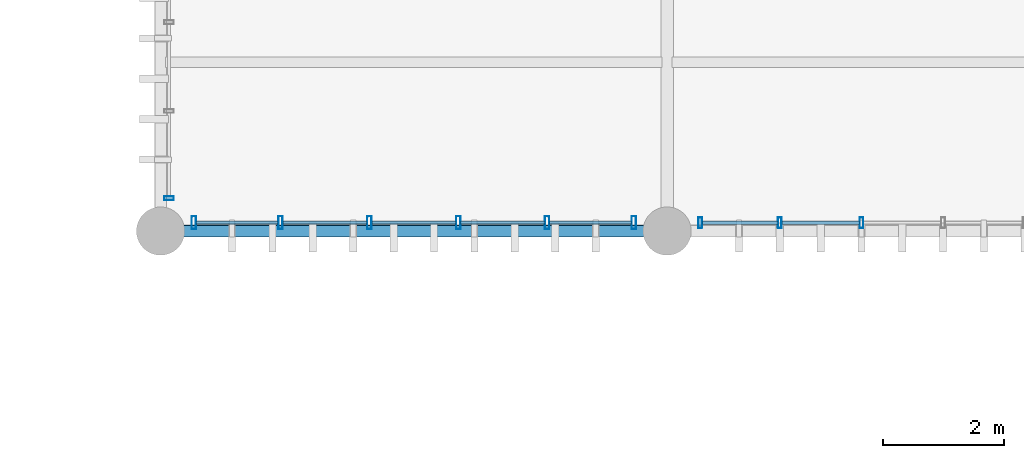
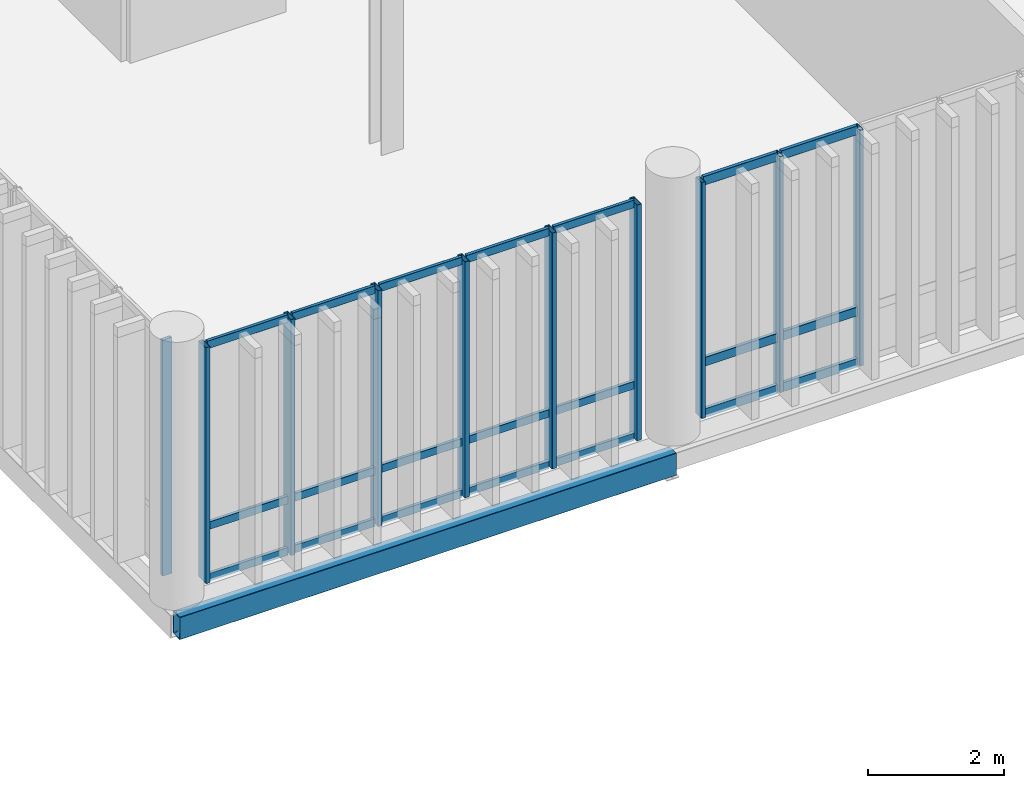
# One storey, part 49 of 94: 31 members, 1 beam, 3 elements without a shape of their own.
"""IFC4 building model written with IfcOpenShell, lengths in metres."""

from ifc_helpers import new_model, si_unit, direction, frame, origin_with_axes, origin_2d_with_axis, place, context, subcontext, project, spatial, hollow_rectangle, extrude, material, material_profile, profile_set, type_object, element, aggregate, save


model = new_model("IFC4")

# Units and contexts
model_context = context("Model", 3, precision=1e-05, world=origin_with_axes(), true_north=direction((0.0, 1.0)))
body_context = subcontext(model_context, "Body", "Model", "MODEL_VIEW")
ifc_project = project(units=[si_unit("LENGTHUNIT", "METRE"), si_unit("AREAUNIT", "SQUARE_METRE"), si_unit("VOLUMEUNIT", "CUBIC_METRE"), si_unit("PLANEANGLEUNIT", "RADIAN"), si_unit("MASSUNIT", "GRAM", prefix="KILO"), si_unit("THERMODYNAMICTEMPERATUREUNIT", "KELVIN")], contexts=[model_context])

# Site, building, storey
site_placement = place(None, origin_with_axes())
site = spatial("IfcSite", under=ifc_project, at=site_placement, CompositionType="ELEMENT")
building_placement = place(site_placement, origin_with_axes())
building = spatial("IfcBuilding", under=site, at=building_placement, Name="Montbau Bow Law Courts", CompositionType="ELEMENT")
storey_placement = place(building_placement, frame((0.0, 0.0, 15.6), z_axis=(0.0, 0.0, 1.0), x_axis=(1.0, 0.0, 0.0)))
storey = spatial("IfcBuildingStorey", under=building, at=storey_placement, Name="L03", CompositionType="ELEMENT", Elevation=15.6)

# Beam
ifc_material_1 = material(Name="Steel CSA G40.21 Grade 350WT (350 MPa)", Category="steel")
ifc_material_profile_1 = material_profile(ifc_material_1, hollow_rectangle(XDim=0.203, YDim=0.406, WallThickness=0.0127, InnerFilletRadius=0.0254, OuterFilletRadius=0.0127, at=origin_2d_with_axis()), Name="HSS406X203X13", Category="Main", Priority=0)
ifc_profile_set_1 = profile_set([ifc_material_profile_1], Name="Steel CSA G40.21 Grade 350WT (350 MPa)")
beam_type = type_object("IfcBeamType", Name="B-SPN-01", PredefinedType="SPANDREL", material=ifc_profile_set_1)
beam_placement = place(None, frame((138.6, 69.6, 15.057), z_axis=(1.0, 0.0, 0.0), x_axis=(0.0, 1.0, 0.0)))
element("IfcBeam", 1, at=beam_placement, inside=storey, type_object=beam_type, Name="SPN-L03-S1205:bm2_1208", PredefinedType="SPANDREL", context=body_context, shape_type="SweptSolid", body=[
    extrude(hollow_rectangle(XDim=0.203, YDim=0.406, WallThickness=0.0127, InnerFilletRadius=0.0254, OuterFilletRadius=0.0127, at=origin_2d_with_axis()), origin_with_axes(), (0.0, 0.0, 1.0), 8.4),
])

# Curtain wall, members
ifc_material_2 = material(Name="Thermally Broken Extruded Aluminium AA 6063-T6", Category="aluminium")
curtain_wall_type = type_object("IfcCurtainWallType", Name="CW-SLT-01", PredefinedType="NOTDEFINED", material=ifc_material_2)
curtain_wall_1_placement = place(None, frame((139.115, 69.74, 15.6), z_axis=(0.0, 0.0, 1.0), x_axis=(1.0, 0.0, 0.0)))
curtain_wall_1 = element("IfcCurtainWall", 2, at=curtain_wall_1_placement, inside=storey, type_object=curtain_wall_type, Name="CW-L03-309:cw_0309", PredefinedType="NOTDEFINED")
ifc_material_profile_2 = material_profile(ifc_material_2, hollow_rectangle(XDim=0.075, YDim=0.22, WallThickness=0.005, InnerFilletRadius=0.01, OuterFilletRadius=0.005, at=origin_2d_with_axis()), Name="CWM-220X75", Category="Main", Priority=0)
ifc_profile_set_2 = profile_set([ifc_material_profile_2], Name="Thermally Broken Extruded Aluminium AA 6063-T6")
member_type_1 = type_object("IfcMemberType", Name="M-MUL-01", PredefinedType="MULLION", material=ifc_profile_set_2)
member_1_placement = place(None, frame((139.152, 69.74, 15.6), z_axis=(0.0, 0.0, 1.0), x_axis=(1.0, 0.0, 0.0)))
member_1 = element("IfcMember", 3, at=member_1_placement, type_object=member_type_1, Name="CW-L03-309-M01:cw_0309_M01", PredefinedType="MULLION", context=body_context, shape_type="SweptSolid", body=[
    extrude(hollow_rectangle(XDim=0.075, YDim=0.22, WallThickness=0.005, InnerFilletRadius=0.01, OuterFilletRadius=0.005, at=origin_2d_with_axis()), origin_with_axes(), (0.0, 0.0, 1.0), 4.22),
])
member_2_placement = place(None, frame((140.589, 69.74, 15.6), z_axis=(0.0, 0.0, 1.0), x_axis=(1.0, 0.0, 0.0)))
member_2 = element("IfcMember", 4, at=member_2_placement, type_object=member_type_1, Name="CW-L03-309-M02:cw_0309_M02", PredefinedType="MULLION", context=body_context, shape_type="SweptSolid", body=[
    extrude(hollow_rectangle(XDim=0.075, YDim=0.22, WallThickness=0.005, InnerFilletRadius=0.01, OuterFilletRadius=0.005, at=origin_2d_with_axis()), origin_with_axes(), (0.0, 0.0, 1.0), 4.22),
])
member_3_placement = place(None, frame((142.063, 69.74, 15.6), z_axis=(0.0, 0.0, 1.0), x_axis=(1.0, 0.0, 0.0)))
member_3 = element("IfcMember", 5, at=member_3_placement, type_object=member_type_1, Name="CW-L03-309-M03:cw_0309_M03", PredefinedType="MULLION", context=body_context, shape_type="SweptSolid", body=[
    extrude(hollow_rectangle(XDim=0.075, YDim=0.22, WallThickness=0.005, InnerFilletRadius=0.01, OuterFilletRadius=0.005, at=origin_2d_with_axis()), origin_with_axes(), (0.0, 0.0, 1.0), 4.22),
])
member_4_placement = place(None, frame((143.537, 69.74, 15.6), z_axis=(0.0, 0.0, 1.0), x_axis=(1.0, 0.0, 0.0)))
member_4 = element("IfcMember", 6, at=member_4_placement, type_object=member_type_1, Name="CW-L03-309-M04:cw_0309_M04", PredefinedType="MULLION", context=body_context, shape_type="SweptSolid", body=[
    extrude(hollow_rectangle(XDim=0.075, YDim=0.22, WallThickness=0.005, InnerFilletRadius=0.01, OuterFilletRadius=0.005, at=origin_2d_with_axis()), origin_with_axes(), (0.0, 0.0, 1.0), 4.22),
])
member_5_placement = place(None, frame((145.011, 69.74, 15.6), z_axis=(0.0, 0.0, 1.0), x_axis=(1.0, 0.0, 0.0)))
member_5 = element("IfcMember", 7, at=member_5_placement, type_object=member_type_1, Name="CW-L03-309-M05:cw_0309_M05", PredefinedType="MULLION", context=body_context, shape_type="SweptSolid", body=[
    extrude(hollow_rectangle(XDim=0.075, YDim=0.22, WallThickness=0.005, InnerFilletRadius=0.01, OuterFilletRadius=0.005, at=origin_2d_with_axis()), origin_with_axes(), (0.0, 0.0, 1.0), 4.22),
])
member_6_placement = place(None, frame((146.448, 69.74, 15.6), z_axis=(0.0, 0.0, 1.0), x_axis=(1.0, 0.0, 0.0)))
member_6 = element("IfcMember", 8, at=member_6_placement, type_object=member_type_1, Name="CW-L03-309-M06:cw_0309_M06", PredefinedType="MULLION", context=body_context, shape_type="SweptSolid", body=[
    extrude(hollow_rectangle(XDim=0.075, YDim=0.22, WallThickness=0.005, InnerFilletRadius=0.01, OuterFilletRadius=0.005, at=origin_2d_with_axis()), origin_with_axes(), (0.0, 0.0, 1.0), 4.22),
])

curtain_wall_2_placement = place(None, frame((147.515, 69.74, 15.6), z_axis=(0.0, 0.0, 1.0), x_axis=(1.0, 0.0, 0.0)))
curtain_wall_2 = element("IfcCurtainWall", 9, at=curtain_wall_2_placement, inside=storey, type_object=curtain_wall_type, Name="CW-L03-310:cw_0310", PredefinedType="NOTDEFINED")
ifc_material_profile_3 = material_profile(ifc_material_2, hollow_rectangle(XDim=0.065, YDim=0.18, WallThickness=0.005, InnerFilletRadius=0.01, OuterFilletRadius=0.005, at=origin_2d_with_axis()), Name="CWM-180X65", Category="Main", Priority=0)
ifc_profile_set_3 = profile_set([ifc_material_profile_3], Name="Thermally Broken Extruded Aluminium AA 6063-T6")
member_type_2 = type_object("IfcMemberType", Name="M-MUL-02", PredefinedType="MULLION", material=ifc_profile_set_3)
member_7_placement = place(None, frame((147.548, 69.74, 15.6), z_axis=(0.0, 0.0, 1.0), x_axis=(1.0, 0.0, 0.0)))
member_7 = element("IfcMember", 10, at=member_7_placement, type_object=member_type_2, Name="CW-L03-310-M01:cw_0310_M01", PredefinedType="MULLION", context=body_context, shape_type="SweptSolid", body=[
    extrude(hollow_rectangle(XDim=0.065, YDim=0.18, WallThickness=0.005, InnerFilletRadius=0.01, OuterFilletRadius=0.005, at=origin_2d_with_axis()), origin_with_axes(), (0.0, 0.0, 1.0), 4.22),
])
member_8_placement = place(None, frame((148.869, 69.74, 15.6), z_axis=(0.0, 0.0, 1.0), x_axis=(1.0, 0.0, 0.0)))
member_8 = element("IfcMember", 11, at=member_8_placement, type_object=member_type_2, Name="CW-L03-310-M02:cw_0310_M02", PredefinedType="MULLION", context=body_context, shape_type="SweptSolid", body=[
    extrude(hollow_rectangle(XDim=0.065, YDim=0.18, WallThickness=0.005, InnerFilletRadius=0.01, OuterFilletRadius=0.005, at=origin_2d_with_axis()), origin_with_axes(), (0.0, 0.0, 1.0), 4.22),
])
member_9_placement = place(None, frame((150.223, 69.74, 15.6), z_axis=(0.0, 0.0, 1.0), x_axis=(1.0, 0.0, 0.0)))
member_9 = element("IfcMember", 12, at=member_9_placement, type_object=member_type_2, Name="CW-L03-310-M03:cw_0310_M03", PredefinedType="MULLION", context=body_context, shape_type="SweptSolid", body=[
    extrude(hollow_rectangle(XDim=0.065, YDim=0.18, WallThickness=0.005, InnerFilletRadius=0.01, OuterFilletRadius=0.005, at=origin_2d_with_axis()), origin_with_axes(), (0.0, 0.0, 1.0), 4.22),
])

# Curtain wall, member
curtain_wall_3_placement = place(None, frame((138.74, 70.115, 15.6), z_axis=(0.0, 0.0, 1.0), x_axis=(1.0, 0.0, 0.0)))
curtain_wall_3 = element("IfcCurtainWall", 13, at=curtain_wall_3_placement, inside=storey, type_object=curtain_wall_type, Name="CW-L03-317:cw_0317", PredefinedType="NOTDEFINED")
ifc_material_profile_4 = material_profile(ifc_material_2, hollow_rectangle(XDim=0.06, YDim=0.16, WallThickness=0.004, InnerFilletRadius=0.008, OuterFilletRadius=0.004, at=origin_2d_with_axis()), Name="CWM-160X60", Category="Main", Priority=0)
ifc_profile_set_4 = profile_set([ifc_material_profile_4], Name="Thermally Broken Extruded Aluminium AA 6063-T6")
member_type_3 = type_object("IfcMemberType", Name="M-MUL-03", PredefinedType="MULLION", material=ifc_profile_set_4)
member_10_placement = place(None, frame((138.74, 70.145, 15.6), z_axis=(0.0, 0.0, 1.0), x_axis=(0.0, 1.0, 0.0)))
member_10 = element("IfcMember", 14, at=member_10_placement, type_object=member_type_3, Name="CW-L03-317-M01:cw_0317_M01", PredefinedType="MULLION", context=body_context, shape_type="SweptSolid", body=[
    extrude(hollow_rectangle(XDim=0.06, YDim=0.16, WallThickness=0.004, InnerFilletRadius=0.008, OuterFilletRadius=0.004, at=origin_2d_with_axis()), origin_with_axes(), (0.0, 0.0, 1.0), 4.22),
])
aggregate(curtain_wall_3, [member_10])

# Member
ifc_material_profile_5 = material_profile(ifc_material_2, hollow_rectangle(XDim=0.06, YDim=0.16, WallThickness=0.004, InnerFilletRadius=0.008, OuterFilletRadius=0.004, at=origin_2d_with_axis()), Name="CWT-160X60", Category="Main", Priority=0)
ifc_profile_set_5 = profile_set([ifc_material_profile_5], Name="Thermally Broken Extruded Aluminium AA 6063-T6")
member_type_4 = type_object("IfcMemberType", Name="M-TRN-01", PredefinedType="USERDEFINED", material=ifc_profile_set_5)
member_11_placement = place(None, frame((147.583, 69.74, 15.63), z_axis=(1.0, 0.0, 0.0), x_axis=(0.0, 1.0, 0.0)))
member_11 = element("IfcMember", 15, at=member_11_placement, type_object=member_type_4, Name="CW-L03-310-T01-1:cw_0310_T01_1", ObjectType="TRANSOM", PredefinedType="USERDEFINED", context=body_context, shape_type="SweptSolid", body=[
    extrude(hollow_rectangle(XDim=0.06, YDim=0.16, WallThickness=0.004, InnerFilletRadius=0.008, OuterFilletRadius=0.004, at=origin_2d_with_axis()), origin_with_axes(), (0.0, 0.0, 1.0), 1.252),
])

member_12_placement = place(None, frame((147.583, 69.74, 16.55), z_axis=(1.0, 0.0, 0.0), x_axis=(0.0, 1.0, 0.0)))
member_12 = element("IfcMember", 16, at=member_12_placement, type_object=member_type_4, Name="CW-L03-310-T01-2:cw_0310_T01_2", ObjectType="TRANSOM", PredefinedType="USERDEFINED", context=body_context, shape_type="SweptSolid", body=[
    extrude(hollow_rectangle(XDim=0.06, YDim=0.16, WallThickness=0.004, InnerFilletRadius=0.008, OuterFilletRadius=0.004, at=origin_2d_with_axis()), origin_with_axes(), (0.0, 0.0, 1.0), 1.252),
])

member_13_placement = place(None, frame((147.583, 69.74, 19.79), z_axis=(1.0, 0.0, 0.0), x_axis=(0.0, 1.0, 0.0)))
member_13 = element("IfcMember", 17, at=member_13_placement, type_object=member_type_4, Name="CW-L03-310-T01-3:cw_0310_T01_3", ObjectType="TRANSOM", PredefinedType="USERDEFINED", context=body_context, shape_type="SweptSolid", body=[
    extrude(hollow_rectangle(XDim=0.06, YDim=0.16, WallThickness=0.004, InnerFilletRadius=0.008, OuterFilletRadius=0.004, at=origin_2d_with_axis()), origin_with_axes(), (0.0, 0.0, 1.0), 1.252),
])

member_14_placement = place(None, frame((148.904, 69.74, 15.63), z_axis=(1.0, 0.0, 0.0), x_axis=(0.0, 1.0, 0.0)))
member_14 = element("IfcMember", 18, at=member_14_placement, type_object=member_type_4, Name="CW-L03-310-T02-1:cw_0310_T02_1", ObjectType="TRANSOM", PredefinedType="USERDEFINED", context=body_context, shape_type="SweptSolid", body=[
    extrude(hollow_rectangle(XDim=0.06, YDim=0.16, WallThickness=0.004, InnerFilletRadius=0.008, OuterFilletRadius=0.004, at=origin_2d_with_axis()), origin_with_axes(), (0.0, 0.0, 1.0), 1.285),
])

member_15_placement = place(None, frame((148.904, 69.74, 16.55), z_axis=(1.0, 0.0, 0.0), x_axis=(0.0, 1.0, 0.0)))
member_15 = element("IfcMember", 19, at=member_15_placement, type_object=member_type_4, Name="CW-L03-310-T02-2:cw_0310_T02_2", ObjectType="TRANSOM", PredefinedType="USERDEFINED", context=body_context, shape_type="SweptSolid", body=[
    extrude(hollow_rectangle(XDim=0.06, YDim=0.16, WallThickness=0.004, InnerFilletRadius=0.008, OuterFilletRadius=0.004, at=origin_2d_with_axis()), origin_with_axes(), (0.0, 0.0, 1.0), 1.285),
])

member_16_placement = place(None, frame((148.904, 69.74, 19.79), z_axis=(1.0, 0.0, 0.0), x_axis=(0.0, 1.0, 0.0)))
member_16 = element("IfcMember", 20, at=member_16_placement, type_object=member_type_4, Name="CW-L03-310-T02-3:cw_0310_T02_3", ObjectType="TRANSOM", PredefinedType="USERDEFINED", context=body_context, shape_type="SweptSolid", body=[
    extrude(hollow_rectangle(XDim=0.06, YDim=0.16, WallThickness=0.004, InnerFilletRadius=0.008, OuterFilletRadius=0.004, at=origin_2d_with_axis()), origin_with_axes(), (0.0, 0.0, 1.0), 1.285),
])

aggregate(curtain_wall_2, [member_7, member_8, member_9, member_11, member_12, member_13, member_14, member_15, member_16])

ifc_material_profile_6 = material_profile(ifc_material_2, hollow_rectangle(XDim=0.055, YDim=0.14, WallThickness=0.004, InnerFilletRadius=0.008, OuterFilletRadius=0.004, at=origin_2d_with_axis()), Name="CWT-140X55", Category="Main", Priority=0)
ifc_profile_set_6 = profile_set([ifc_material_profile_6], Name="Thermally Broken Extruded Aluminium AA 6063-T6")
member_type_5 = type_object("IfcMemberType", Name="M-TRN-02", PredefinedType="USERDEFINED", material=ifc_profile_set_6)
member_17_placement = place(None, frame((139.191, 69.74, 15.627), z_axis=(1.0, 0.0, 0.0), x_axis=(0.0, 1.0, 0.0)))
member_17 = element("IfcMember", 21, at=member_17_placement, type_object=member_type_5, Name="CW-L03-309-T01-1:cw_0309_T01_1", ObjectType="TRANSOM", PredefinedType="USERDEFINED", context=body_context, shape_type="SweptSolid", body=[
    extrude(hollow_rectangle(XDim=0.055, YDim=0.14, WallThickness=0.004, InnerFilletRadius=0.008, OuterFilletRadius=0.004, at=origin_2d_with_axis()), origin_with_axes(), (0.0, 0.0, 1.0), 1.358),
])

member_18_placement = place(None, frame((139.191, 69.74, 16.55), z_axis=(1.0, 0.0, 0.0), x_axis=(0.0, 1.0, 0.0)))
member_18 = element("IfcMember", 22, at=member_18_placement, type_object=member_type_5, Name="CW-L03-309-T01-2:cw_0309_T01_2", ObjectType="TRANSOM", PredefinedType="USERDEFINED", context=body_context, shape_type="SweptSolid", body=[
    extrude(hollow_rectangle(XDim=0.055, YDim=0.14, WallThickness=0.004, InnerFilletRadius=0.008, OuterFilletRadius=0.004, at=origin_2d_with_axis()), origin_with_axes(), (0.0, 0.0, 1.0), 1.358),
])

member_19_placement = place(None, frame((139.191, 69.74, 19.793), z_axis=(1.0, 0.0, 0.0), x_axis=(0.0, 1.0, 0.0)))
member_19 = element("IfcMember", 23, at=member_19_placement, type_object=member_type_5, Name="CW-L03-309-T01-3:cw_0309_T01_3", ObjectType="TRANSOM", PredefinedType="USERDEFINED", context=body_context, shape_type="SweptSolid", body=[
    extrude(hollow_rectangle(XDim=0.055, YDim=0.14, WallThickness=0.004, InnerFilletRadius=0.008, OuterFilletRadius=0.004, at=origin_2d_with_axis()), origin_with_axes(), (0.0, 0.0, 1.0), 1.358),
])

member_20_placement = place(None, frame((140.629, 69.74, 15.627), z_axis=(1.0, 0.0, 0.0), x_axis=(0.0, 1.0, 0.0)))
member_20 = element("IfcMember", 24, at=member_20_placement, type_object=member_type_5, Name="CW-L03-309-T02-1:cw_0309_T02_1", ObjectType="TRANSOM", PredefinedType="USERDEFINED", context=body_context, shape_type="SweptSolid", body=[
    extrude(hollow_rectangle(XDim=0.055, YDim=0.14, WallThickness=0.004, InnerFilletRadius=0.008, OuterFilletRadius=0.004, at=origin_2d_with_axis()), origin_with_axes(), (0.0, 0.0, 1.0), 1.395),
])

member_21_placement = place(None, frame((140.629, 69.74, 16.55), z_axis=(1.0, 0.0, 0.0), x_axis=(0.0, 1.0, 0.0)))
member_21 = element("IfcMember", 25, at=member_21_placement, type_object=member_type_5, Name="CW-L03-309-T02-2:cw_0309_T02_2", ObjectType="TRANSOM", PredefinedType="USERDEFINED", context=body_context, shape_type="SweptSolid", body=[
    extrude(hollow_rectangle(XDim=0.055, YDim=0.14, WallThickness=0.004, InnerFilletRadius=0.008, OuterFilletRadius=0.004, at=origin_2d_with_axis()), origin_with_axes(), (0.0, 0.0, 1.0), 1.395),
])

member_22_placement = place(None, frame((140.629, 69.74, 19.793), z_axis=(1.0, 0.0, 0.0), x_axis=(0.0, 1.0, 0.0)))
member_22 = element("IfcMember", 26, at=member_22_placement, type_object=member_type_5, Name="CW-L03-309-T02-3:cw_0309_T02_3", ObjectType="TRANSOM", PredefinedType="USERDEFINED", context=body_context, shape_type="SweptSolid", body=[
    extrude(hollow_rectangle(XDim=0.055, YDim=0.14, WallThickness=0.004, InnerFilletRadius=0.008, OuterFilletRadius=0.004, at=origin_2d_with_axis()), origin_with_axes(), (0.0, 0.0, 1.0), 1.395),
])

member_23_placement = place(None, frame((142.102, 69.74, 15.627), z_axis=(1.0, 0.0, 0.0), x_axis=(0.0, 1.0, 0.0)))
member_23 = element("IfcMember", 27, at=member_23_placement, type_object=member_type_5, Name="CW-L03-309-T03-1:cw_0309_T03_1", ObjectType="TRANSOM", PredefinedType="USERDEFINED", context=body_context, shape_type="SweptSolid", body=[
    extrude(hollow_rectangle(XDim=0.055, YDim=0.14, WallThickness=0.004, InnerFilletRadius=0.008, OuterFilletRadius=0.004, at=origin_2d_with_axis()), origin_with_axes(), (0.0, 0.0, 1.0), 1.396),
])

member_24_placement = place(None, frame((142.102, 69.74, 16.55), z_axis=(1.0, 0.0, 0.0), x_axis=(0.0, 1.0, 0.0)))
member_24 = element("IfcMember", 28, at=member_24_placement, type_object=member_type_5, Name="CW-L03-309-T03-2:cw_0309_T03_2", ObjectType="TRANSOM", PredefinedType="USERDEFINED", context=body_context, shape_type="SweptSolid", body=[
    extrude(hollow_rectangle(XDim=0.055, YDim=0.14, WallThickness=0.004, InnerFilletRadius=0.008, OuterFilletRadius=0.004, at=origin_2d_with_axis()), origin_with_axes(), (0.0, 0.0, 1.0), 1.396),
])

member_25_placement = place(None, frame((142.102, 69.74, 19.793), z_axis=(1.0, 0.0, 0.0), x_axis=(0.0, 1.0, 0.0)))
member_25 = element("IfcMember", 29, at=member_25_placement, type_object=member_type_5, Name="CW-L03-309-T03-3:cw_0309_T03_3", ObjectType="TRANSOM", PredefinedType="USERDEFINED", context=body_context, shape_type="SweptSolid", body=[
    extrude(hollow_rectangle(XDim=0.055, YDim=0.14, WallThickness=0.004, InnerFilletRadius=0.008, OuterFilletRadius=0.004, at=origin_2d_with_axis()), origin_with_axes(), (0.0, 0.0, 1.0), 1.396),
])

member_26_placement = place(None, frame((143.576, 69.74, 15.627), z_axis=(1.0, 0.0, 0.0), x_axis=(0.0, 1.0, 0.0)))
member_26 = element("IfcMember", 30, at=member_26_placement, type_object=member_type_5, Name="CW-L03-309-T04-1:cw_0309_T04_1", ObjectType="TRANSOM", PredefinedType="USERDEFINED", context=body_context, shape_type="SweptSolid", body=[
    extrude(hollow_rectangle(XDim=0.055, YDim=0.14, WallThickness=0.004, InnerFilletRadius=0.008, OuterFilletRadius=0.004, at=origin_2d_with_axis()), origin_with_axes(), (0.0, 0.0, 1.0), 1.396),
])

member_27_placement = place(None, frame((143.576, 69.74, 16.55), z_axis=(1.0, 0.0, 0.0), x_axis=(0.0, 1.0, 0.0)))
member_27 = element("IfcMember", 31, at=member_27_placement, type_object=member_type_5, Name="CW-L03-309-T04-2:cw_0309_T04_2", ObjectType="TRANSOM", PredefinedType="USERDEFINED", context=body_context, shape_type="SweptSolid", body=[
    extrude(hollow_rectangle(XDim=0.055, YDim=0.14, WallThickness=0.004, InnerFilletRadius=0.008, OuterFilletRadius=0.004, at=origin_2d_with_axis()), origin_with_axes(), (0.0, 0.0, 1.0), 1.396),
])

member_28_placement = place(None, frame((143.576, 69.74, 19.793), z_axis=(1.0, 0.0, 0.0), x_axis=(0.0, 1.0, 0.0)))
member_28 = element("IfcMember", 32, at=member_28_placement, type_object=member_type_5, Name="CW-L03-309-T04-3:cw_0309_T04_3", ObjectType="TRANSOM", PredefinedType="USERDEFINED", context=body_context, shape_type="SweptSolid", body=[
    extrude(hollow_rectangle(XDim=0.055, YDim=0.14, WallThickness=0.004, InnerFilletRadius=0.008, OuterFilletRadius=0.004, at=origin_2d_with_axis()), origin_with_axes(), (0.0, 0.0, 1.0), 1.396),
])

member_29_placement = place(None, frame((145.05, 69.74, 15.627), z_axis=(1.0, 0.0, 0.0), x_axis=(0.0, 1.0, 0.0)))
member_29 = element("IfcMember", 33, at=member_29_placement, type_object=member_type_5, Name="CW-L03-309-T05-1:cw_0309_T05_1", ObjectType="TRANSOM", PredefinedType="USERDEFINED", context=body_context, shape_type="SweptSolid", body=[
    extrude(hollow_rectangle(XDim=0.055, YDim=0.14, WallThickness=0.004, InnerFilletRadius=0.008, OuterFilletRadius=0.004, at=origin_2d_with_axis()), origin_with_axes(), (0.0, 0.0, 1.0), 1.359),
])

member_30_placement = place(None, frame((145.05, 69.74, 16.55), z_axis=(1.0, 0.0, 0.0), x_axis=(0.0, 1.0, 0.0)))
member_30 = element("IfcMember", 34, at=member_30_placement, type_object=member_type_5, Name="CW-L03-309-T05-2:cw_0309_T05_2", ObjectType="TRANSOM", PredefinedType="USERDEFINED", context=body_context, shape_type="SweptSolid", body=[
    extrude(hollow_rectangle(XDim=0.055, YDim=0.14, WallThickness=0.004, InnerFilletRadius=0.008, OuterFilletRadius=0.004, at=origin_2d_with_axis()), origin_with_axes(), (0.0, 0.0, 1.0), 1.359),
])

member_31_placement = place(None, frame((145.05, 69.74, 19.793), z_axis=(1.0, 0.0, 0.0), x_axis=(0.0, 1.0, 0.0)))
member_31 = element("IfcMember", 35, at=member_31_placement, type_object=member_type_5, Name="CW-L03-309-T05-3:cw_0309_T05_3", ObjectType="TRANSOM", PredefinedType="USERDEFINED", context=body_context, shape_type="SweptSolid", body=[
    extrude(hollow_rectangle(XDim=0.055, YDim=0.14, WallThickness=0.004, InnerFilletRadius=0.008, OuterFilletRadius=0.004, at=origin_2d_with_axis()), origin_with_axes(), (0.0, 0.0, 1.0), 1.359),
])

aggregate(curtain_wall_1, [member_1, member_2, member_3, member_4, member_5, member_6, member_17, member_18, member_19, member_20, member_21, member_22, member_23, member_24, member_25, member_26, member_27, member_28, member_29, member_30, member_31])

save(model, "model.ifc")
